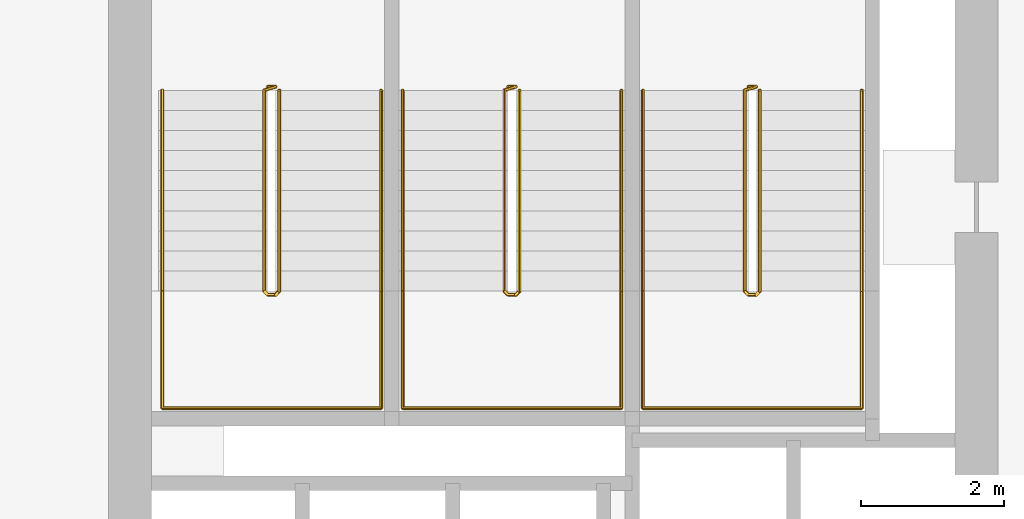
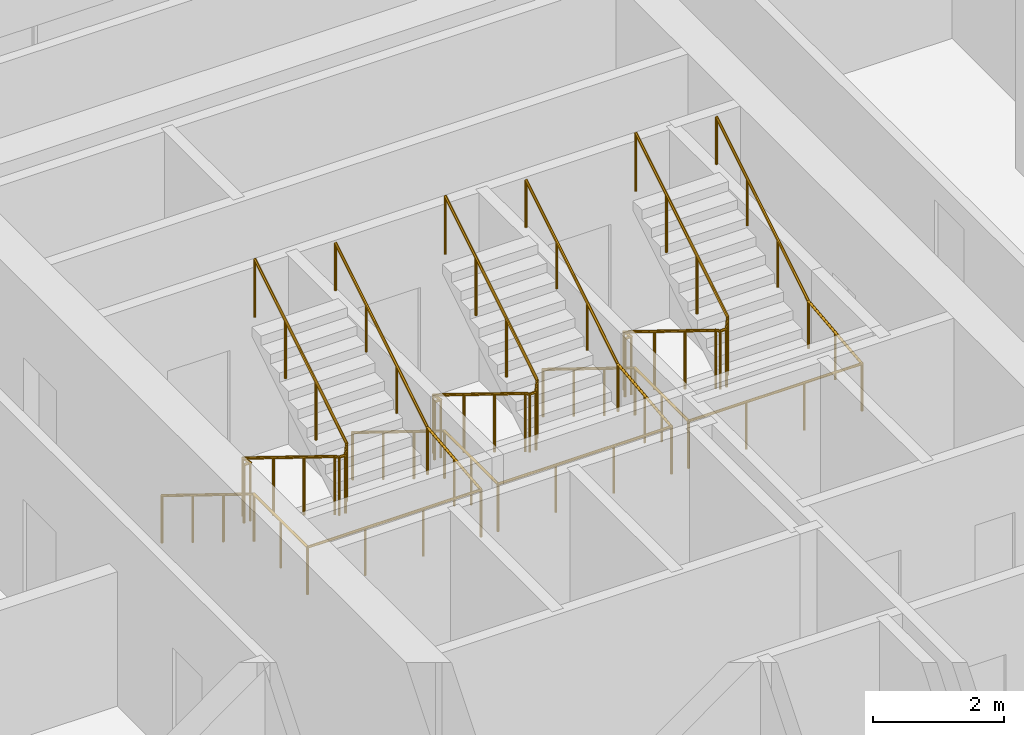
# One storey, part 18 of 18: 6 railings.
"""IFC4 building model written with IfcOpenShell, lengths in metres."""

from ifc_helpers import new_model, si_unit, direction, frame, origin, origin_2d, place, context, subcontext, project, spatial, circle, extrude, material, type_object, element, save


model = new_model("IFC4")

# Units and contexts
model_context = context("Model", 3, precision=1e-05, world=origin(), true_north=direction((0.0, 1.0)))
body_context = subcontext(model_context, "Body", "Model", "MODEL_VIEW")
ifc_project = project(units=[si_unit("LENGTHUNIT", "METRE"), si_unit("AREAUNIT", "SQUARE_METRE"), si_unit("VOLUMEUNIT", "CUBIC_METRE"), si_unit("PLANEANGLEUNIT", "RADIAN"), si_unit("MASSUNIT", "GRAM", prefix="KILO")], contexts=[model_context])

# Site, building, storey
site_placement = place(None, origin())
site = spatial("IfcSite", under=ifc_project, at=site_placement, CompositionType="ELEMENT")
building_placement = place(site_placement, origin())
building = spatial("IfcBuilding", under=site, at=building_placement, Name="Tessera Arch", CompositionType="ELEMENT")
storey_placement = place(building_placement, frame((0.0, 0.0, 104.39990234375)))
storey = spatial("IfcBuildingStorey", under=building, at=storey_placement, Name="L24", CompositionType="ELEMENT", Elevation=104.39990234375)

# Railings
ifc_material_1 = material(Name="Painted steel balustrade", Category="steel")
railing_type_1 = type_object("IfcRailingType", Name="Stair guard 1100", PredefinedType="GUARDRAIL", material=ifc_material_1)
railing_1_placement = place(storey_placement, frame((38.219970703125, 43.6298828125, 0.0)))
element("IfcRailing", 1, at=railing_1_placement, inside=storey, type_object=railing_type_1, Name="L24 S1a stair guard 1", PredefinedType="GUARDRAIL", context=body_context, shape_type="SweptSolid", body=[
    extrude(circle(Radius=0.02392578125, at=origin_2d()), frame((-0.00390625, 0.0, 1.076171875), z_axis=(1.0, 0.0, 0.0), x_axis=(0.0, 1.0, 0.0)), (0.0, 0.0, 1.0), 0.1181640625),
    extrude(circle(Radius=0.02392578125, at=origin_2d()), frame((0.11279296875, 0.000732421875, 1.0732421875), z_axis=(-0.664965661675, -0.206788102106, 0.717676354369), x_axis=(0.296948579431, -0.954893471113, 0.0)), (0.0, 0.0, 1.0), 0.248779296875),
    extrude(circle(Radius=0.02392578125, at=origin_2d()), frame((-0.050048828125, -0.04638671875, 1.246826171875), z_axis=(0.0, -0.851089632645, 0.525020415988), x_axis=(1.0, 0.0, 0.0)), (0.0, 0.0, 1.0), 3.2978515625),
    extrude(circle(Radius=0.02392578125, at=origin_2d()), frame((-0.052978515625, -2.846923828125, 2.97607421875), z_axis=(0.707106781187, -0.707106781187, 0.0), x_axis=(0.707106781187, 0.707106781187, 0.0)), (0.0, 0.0, 1.0), 0.078857421875),
    extrude(circle(Radius=0.02392578125, at=origin_2d()), frame((-0.00390625, -2.89990234375, 2.97607421875), z_axis=(1.0, 0.0, 0.0), x_axis=(0.0, 1.0, 0.0)), (0.0, 0.0, 1.0), 0.1181640625),
    extrude(circle(Radius=0.02392578125, at=origin_2d()), frame((0.109130859375, -2.90087890625, 2.972412109375), z_axis=(0.267062837333, 0.268371968888, 0.925556009775), x_axis=(-0.708833529934, 0.705375805398, 0.0)), (0.0, 0.0, 1.0), 0.194580078125),
    extrude(circle(Radius=0.02392578125, at=origin_2d()), frame((0.159912109375, -2.853271484375, 3.146728515625), z_axis=(0.0, 0.851089632645, 0.525020415988), x_axis=(-1.0, 0.0, 0.0)), (0.0, 0.0, 1.0), 3.2978515625),
    extrude(circle(Radius=0.02099609375, at=origin_2d()), origin(), (0.0, 0.0, 1.0), 1.06396484375),
    extrude(circle(Radius=0.02099609375, at=origin_2d()), frame((0.110107421875, 0.0, 0.0)), (0.0, 0.0, 1.0), 1.06396484375),
    extrude(circle(Radius=0.02099609375, at=origin_2d()), frame((-0.050048828125, -0.0498046875, 0.1728515625)), (0.0, 0.0, 1.0), 1.06396484375),
    extrude(circle(Radius=0.02099609375, at=origin_2d()), frame((-0.050048828125, -0.983154296875, 0.74853515625)), (0.0, 0.0, 1.0), 1.06396484375),
    extrude(circle(Radius=0.02099609375, at=origin_2d()), frame((-0.050048828125, -1.91650390625, 1.324462890625)), (0.0, 0.0, 1.0), 1.06396484375),
    extrude(circle(Radius=0.02099609375, at=origin_2d()), frame((-0.050048828125, -2.849853515625, 1.900146484375)), (0.0, 0.0, 1.0), 1.06396484375),
    extrude(circle(Radius=0.02099609375, at=origin_2d()), frame((0.0, -2.89990234375, 1.900146484375)), (0.0, 0.0, 1.0), 1.06396484375),
    extrude(circle(Radius=0.02099609375, at=origin_2d()), frame((0.110107421875, -2.89990234375, 1.900146484375)), (0.0, 0.0, 1.0), 1.06396484375),
    extrude(circle(Radius=0.02099609375, at=origin_2d()), frame((0.159912109375, -2.849853515625, 2.07275390625)), (0.0, 0.0, 1.0), 1.06396484375),
    extrude(circle(Radius=0.02099609375, at=origin_2d()), frame((0.159912109375, -1.91650390625, 2.6484375)), (0.0, 0.0, 1.0), 1.06396484375),
    extrude(circle(Radius=0.02099609375, at=origin_2d()), frame((0.159912109375, -0.983154296875, 3.224365234375)), (0.0, 0.0, 1.0), 1.06396484375),
    extrude(circle(Radius=0.02099609375, at=origin_2d()), frame((0.159912109375, -0.0498046875, 3.800048828125)), (0.0, 0.0, 1.0), 1.06396484375),
])
railing_2_placement = place(storey_placement, frame((41.570068359375, 43.6298828125, 0.0)))
element("IfcRailing", 2, at=railing_2_placement, inside=storey, type_object=railing_type_1, Name="L24 S1b stair guard 1", PredefinedType="GUARDRAIL", context=body_context, shape_type="SweptSolid", body=[
    extrude(circle(Radius=0.02392578125, at=origin_2d()), frame((-0.00390625, 0.0, 1.076171875), z_axis=(1.0, 0.0, 0.0), x_axis=(0.0, 1.0, 0.0)), (0.0, 0.0, 1.0), 0.117919921875),
    extrude(circle(Radius=0.02392578125, at=origin_2d()), frame((0.112548828125, 0.000732421875, 1.0732421875), z_axis=(-0.664399645116, -0.206927523059, 0.718160227087), x_axis=(0.297361876254, -0.954764847777, 0.0)), (0.0, 0.0, 1.0), 0.248779296875),
    extrude(circle(Radius=0.02392578125, at=origin_2d()), frame((-0.050048828125, -0.04638671875, 1.246826171875), z_axis=(0.0, -0.851089632645, 0.525020415988), x_axis=(1.0, 0.0, 0.0)), (0.0, 0.0, 1.0), 3.2978515625),
    extrude(circle(Radius=0.02392578125, at=origin_2d()), frame((-0.052978515625, -2.846923828125, 2.97607421875), z_axis=(0.707106781187, -0.707106781187, 0.0), x_axis=(0.707106781187, 0.707106781187, 0.0)), (0.0, 0.0, 1.0), 0.078857421875),
    extrude(circle(Radius=0.02392578125, at=origin_2d()), frame((-0.00390625, -2.89990234375, 2.97607421875), z_axis=(1.0, 0.0, 0.0), x_axis=(0.0, 1.0, 0.0)), (0.0, 0.0, 1.0), 0.117919921875),
    extrude(circle(Radius=0.02392578125, at=origin_2d()), frame((0.10888671875, -2.90087890625, 2.972412109375), z_axis=(0.268277960024, 0.268277960024, 0.925231793839), x_axis=(-0.707106781187, 0.707106781187, 0.0)), (0.0, 0.0, 1.0), 0.194580078125),
    extrude(circle(Radius=0.02392578125, at=origin_2d()), frame((0.159912109375, -2.853271484375, 3.146728515625), z_axis=(0.0, 0.851089632645, 0.525020415988), x_axis=(-1.0, 0.0, 0.0)), (0.0, 0.0, 1.0), 3.2978515625),
    extrude(circle(Radius=0.02099609375, at=origin_2d()), origin(), (0.0, 0.0, 1.0), 1.06396484375),
    extrude(circle(Radius=0.02099609375, at=origin_2d()), frame((0.10986328125, 0.0, 0.0)), (0.0, 0.0, 1.0), 1.06396484375),
    extrude(circle(Radius=0.02099609375, at=origin_2d()), frame((-0.050048828125, -0.0498046875, 0.1728515625)), (0.0, 0.0, 1.0), 1.06396484375),
    extrude(circle(Radius=0.02099609375, at=origin_2d()), frame((-0.050048828125, -0.983154296875, 0.74853515625)), (0.0, 0.0, 1.0), 1.06396484375),
    extrude(circle(Radius=0.02099609375, at=origin_2d()), frame((-0.050048828125, -1.91650390625, 1.324462890625)), (0.0, 0.0, 1.0), 1.06396484375),
    extrude(circle(Radius=0.02099609375, at=origin_2d()), frame((-0.050048828125, -2.849853515625, 1.900146484375)), (0.0, 0.0, 1.0), 1.06396484375),
    extrude(circle(Radius=0.02099609375, at=origin_2d()), frame((0.0, -2.89990234375, 1.900146484375)), (0.0, 0.0, 1.0), 1.06396484375),
    extrude(circle(Radius=0.02099609375, at=origin_2d()), frame((0.10986328125, -2.89990234375, 1.900146484375)), (0.0, 0.0, 1.0), 1.06396484375),
    extrude(circle(Radius=0.02099609375, at=origin_2d()), frame((0.159912109375, -2.849853515625, 2.07275390625)), (0.0, 0.0, 1.0), 1.06396484375),
    extrude(circle(Radius=0.02099609375, at=origin_2d()), frame((0.159912109375, -1.91650390625, 2.6484375)), (0.0, 0.0, 1.0), 1.06396484375),
    extrude(circle(Radius=0.02099609375, at=origin_2d()), frame((0.159912109375, -0.983154296875, 3.224365234375)), (0.0, 0.0, 1.0), 1.06396484375),
    extrude(circle(Radius=0.02099609375, at=origin_2d()), frame((0.159912109375, -0.0498046875, 3.800048828125)), (0.0, 0.0, 1.0), 1.06396484375),
])
railing_3_placement = place(storey_placement, frame((44.919921875, 43.6298828125, 0.0)))
element("IfcRailing", 3, at=railing_3_placement, inside=storey, type_object=railing_type_1, Name="L24 S1c stair guard 1", PredefinedType="GUARDRAIL", context=body_context, shape_type="SweptSolid", body=[
    extrude(circle(Radius=0.02392578125, at=origin_2d()), frame((-0.00390625, 0.0, 1.076171875), z_axis=(1.0, 0.0, 0.0), x_axis=(0.0, 1.0, 0.0)), (0.0, 0.0, 1.0), 0.1181640625),
    extrude(circle(Radius=0.02392578125, at=origin_2d()), frame((0.11279296875, 0.000732421875, 1.0732421875), z_axis=(-0.664399645116, -0.206927523059, 0.718160227087), x_axis=(0.297361876254, -0.954764847777, 0.0)), (0.0, 0.0, 1.0), 0.248779296875),
    extrude(circle(Radius=0.02392578125, at=origin_2d()), frame((-0.0498046875, -0.04638671875, 1.246826171875), z_axis=(0.0, -0.851089632645, 0.525020415988), x_axis=(1.0, 0.0, 0.0)), (0.0, 0.0, 1.0), 3.2978515625),
    extrude(circle(Radius=0.02392578125, at=origin_2d()), frame((-0.052734375, -2.846923828125, 2.97607421875), z_axis=(0.705375805398, -0.708833529934, 0.0), x_axis=(0.708833529934, 0.705375805398, 0.0)), (0.0, 0.0, 1.0), 0.07861328125),
    extrude(circle(Radius=0.02392578125, at=origin_2d()), frame((-0.00390625, -2.89990234375, 2.97607421875), z_axis=(1.0, 0.0, 0.0), x_axis=(0.0, 1.0, 0.0)), (0.0, 0.0, 1.0), 0.1181640625),
    extrude(circle(Radius=0.02392578125, at=origin_2d()), frame((0.109130859375, -2.90087890625, 2.972412109375), z_axis=(0.268277960024, 0.268277960024, 0.925231793839), x_axis=(-0.707106781187, 0.707106781187, 0.0)), (0.0, 0.0, 1.0), 0.194580078125),
    extrude(circle(Radius=0.02392578125, at=origin_2d()), frame((0.16015625, -2.853271484375, 3.146728515625), z_axis=(0.0, 0.851089632645, 0.525020415988), x_axis=(-1.0, 0.0, 0.0)), (0.0, 0.0, 1.0), 3.2978515625),
    extrude(circle(Radius=0.02099609375, at=origin_2d()), origin(), (0.0, 0.0, 1.0), 1.06396484375),
    extrude(circle(Radius=0.02099609375, at=origin_2d()), frame((0.110107421875, 0.0, 0.0)), (0.0, 0.0, 1.0), 1.06396484375),
    extrude(circle(Radius=0.02099609375, at=origin_2d()), frame((-0.0498046875, -0.0498046875, 0.1728515625)), (0.0, 0.0, 1.0), 1.06396484375),
    extrude(circle(Radius=0.02099609375, at=origin_2d()), frame((-0.0498046875, -0.983154296875, 0.74853515625)), (0.0, 0.0, 1.0), 1.06396484375),
    extrude(circle(Radius=0.02099609375, at=origin_2d()), frame((-0.0498046875, -1.91650390625, 1.324462890625)), (0.0, 0.0, 1.0), 1.06396484375),
    extrude(circle(Radius=0.02099609375, at=origin_2d()), frame((-0.0498046875, -2.849853515625, 1.900146484375)), (0.0, 0.0, 1.0), 1.06396484375),
    extrude(circle(Radius=0.02099609375, at=origin_2d()), frame((0.0, -2.89990234375, 1.900146484375)), (0.0, 0.0, 1.0), 1.06396484375),
    extrude(circle(Radius=0.02099609375, at=origin_2d()), frame((0.110107421875, -2.89990234375, 1.900146484375)), (0.0, 0.0, 1.0), 1.06396484375),
    extrude(circle(Radius=0.02099609375, at=origin_2d()), frame((0.16015625, -2.849853515625, 2.07275390625)), (0.0, 0.0, 1.0), 1.06396484375),
    extrude(circle(Radius=0.02099609375, at=origin_2d()), frame((0.16015625, -1.91650390625, 2.6484375)), (0.0, 0.0, 1.0), 1.06396484375),
    extrude(circle(Radius=0.02099609375, at=origin_2d()), frame((0.16015625, -0.983154296875, 3.224365234375)), (0.0, 0.0, 1.0), 1.06396484375),
    extrude(circle(Radius=0.02099609375, at=origin_2d()), frame((0.16015625, -0.0498046875, 3.800048828125)), (0.0, 0.0, 1.0), 1.06396484375),
])
ifc_material_2 = material(Name="Painted steel handrail", Category="steel")
railing_type_2 = type_object("IfcRailingType", Name="Stair handrail 900", PredefinedType="HANDRAIL", material=ifc_material_2)
railing_4_placement = place(storey_placement, frame((36.75, 43.580078125, 0.1728515625)))
element("IfcRailing", 4, at=railing_4_placement, inside=storey, type_object=railing_type_2, Name="L24 S1a stair handrail", PredefinedType="HANDRAIL", context=body_context, shape_type="SweptSolid", body=[
    extrude(circle(Radius=0.02392578125, at=origin_2d()), frame((0.0, 0.00341796875, 0.873779296875), z_axis=(0.0, -0.851089632645, 0.525020415988), x_axis=(1.0, 0.0, 0.0)), (0.0, 0.0, 1.0), 3.2978515625),
    extrude(circle(Radius=0.02392578125, at=origin_2d()), frame((0.0, -2.796142578125, 2.60302734375), z_axis=(0.0, -1.0, 0.0), x_axis=(1.0, 0.0, 0.0)), (0.0, 0.0, 1.0), 1.63818359375),
    extrude(circle(Radius=0.02392578125, at=origin_2d()), frame((-0.00390625, -4.43017578125, 2.60302734375), z_axis=(1.0, 0.0, 0.0), x_axis=(0.0, 1.0, 0.0)), (0.0, 0.0, 1.0), 3.05810546875),
    extrude(circle(Radius=0.02392578125, at=origin_2d()), frame((3.050048828125, -4.43408203125, 2.602783203125), z_axis=(0.0, 0.994440793715, 0.105297235459), x_axis=(-1.0, 0.0, 0.0)), (0.0, 0.0, 1.0), 1.647216796875),
    extrude(circle(Radius=0.02392578125, at=origin_2d()), frame((3.050048828125, -2.803466796875, 2.773681640625), z_axis=(0.0, 0.851089632645, 0.525020415988), x_axis=(-1.0, 0.0, 0.0)), (0.0, 0.0, 1.0), 3.2978515625),
    extrude(circle(Radius=0.02099609375, at=origin_2d()), origin(), (0.0, 0.0, 1.0), 0.86376953125),
    extrude(circle(Radius=0.02099609375, at=origin_2d()), frame((0.0, -0.933349609375, 0.57568359375)), (0.0, 0.0, 1.0), 0.86376953125),
    extrude(circle(Radius=0.02099609375, at=origin_2d()), frame((0.0, -1.86669921875, 1.151611328125)), (0.0, 0.0, 1.0), 0.86376953125),
    extrude(circle(Radius=0.02099609375, at=origin_2d()), frame((0.0, -2.800048828125, 1.727294921875)), (0.0, 0.0, 1.0), 0.86376953125),
    extrude(circle(Radius=0.02099609375, at=origin_2d()), frame((0.0, -3.615234375, 1.727294921875)), (0.0, 0.0, 1.0), 0.86376953125),
    extrude(circle(Radius=0.02099609375, at=origin_2d()), frame((0.0, -4.43017578125, 1.727294921875)), (0.0, 0.0, 1.0), 0.86376953125),
    extrude(circle(Radius=0.02099609375, at=origin_2d()), frame((1.0166015625, -4.43017578125, 1.727294921875)), (0.0, 0.0, 1.0), 0.86376953125),
    extrude(circle(Radius=0.02099609375, at=origin_2d()), frame((2.033447265625, -4.43017578125, 1.727294921875)), (0.0, 0.0, 1.0), 0.86376953125),
    extrude(circle(Radius=0.02099609375, at=origin_2d()), frame((3.050048828125, -4.43017578125, 1.727294921875)), (0.0, 0.0, 1.0), 0.86376953125),
    extrude(circle(Radius=0.02099609375, at=origin_2d()), frame((3.050048828125, -3.615234375, 1.8134765625)), (0.0, 0.0, 1.0), 0.86376953125),
    extrude(circle(Radius=0.02099609375, at=origin_2d()), frame((3.050048828125, -2.800048828125, 1.89990234375)), (0.0, 0.0, 1.0), 0.86376953125),
    extrude(circle(Radius=0.02099609375, at=origin_2d()), frame((3.050048828125, -1.86669921875, 2.4755859375)), (0.0, 0.0, 1.0), 0.86376953125),
    extrude(circle(Radius=0.02099609375, at=origin_2d()), frame((3.050048828125, -0.933349609375, 3.051513671875)), (0.0, 0.0, 1.0), 0.86376953125),
    extrude(circle(Radius=0.02099609375, at=origin_2d()), frame((3.050048828125, 0.0, 3.627197265625)), (0.0, 0.0, 1.0), 0.86376953125),
])
railing_5_placement = place(storey_placement, frame((40.10009765625, 43.580078125, 0.1728515625)))
element("IfcRailing", 5, at=railing_5_placement, inside=storey, type_object=railing_type_2, Name="L24 S1b stair handrail", PredefinedType="HANDRAIL", context=body_context, shape_type="SweptSolid", body=[
    extrude(circle(Radius=0.02392578125, at=origin_2d()), frame((0.0, 0.00341796875, 0.873779296875), z_axis=(0.0, -0.851089632645, 0.525020415988), x_axis=(1.0, 0.0, 0.0)), (0.0, 0.0, 1.0), 3.2978515625),
    extrude(circle(Radius=0.02392578125, at=origin_2d()), frame((0.0, -2.796142578125, 2.60302734375), z_axis=(0.0, -1.0, 0.0), x_axis=(1.0, 0.0, 0.0)), (0.0, 0.0, 1.0), 1.63818359375),
    extrude(circle(Radius=0.02392578125, at=origin_2d()), frame((-0.00390625, -4.43017578125, 2.60302734375), z_axis=(1.0, 0.0, 0.0), x_axis=(0.0, 1.0, 0.0)), (0.0, 0.0, 1.0), 3.057861328125),
    extrude(circle(Radius=0.02392578125, at=origin_2d()), frame((3.0498046875, -4.43408203125, 2.602783203125), z_axis=(0.0, 0.994440793715, 0.105297235459), x_axis=(-1.0, 0.0, 0.0)), (0.0, 0.0, 1.0), 1.647216796875),
    extrude(circle(Radius=0.02392578125, at=origin_2d()), frame((3.0498046875, -2.803466796875, 2.773681640625), z_axis=(0.0, 0.851089632645, 0.525020415988), x_axis=(-1.0, 0.0, 0.0)), (0.0, 0.0, 1.0), 3.2978515625),
    extrude(circle(Radius=0.02099609375, at=origin_2d()), origin(), (0.0, 0.0, 1.0), 0.86376953125),
    extrude(circle(Radius=0.02099609375, at=origin_2d()), frame((0.0, -0.933349609375, 0.57568359375)), (0.0, 0.0, 1.0), 0.86376953125),
    extrude(circle(Radius=0.02099609375, at=origin_2d()), frame((0.0, -1.86669921875, 1.151611328125)), (0.0, 0.0, 1.0), 0.86376953125),
    extrude(circle(Radius=0.02099609375, at=origin_2d()), frame((0.0, -2.800048828125, 1.727294921875)), (0.0, 0.0, 1.0), 0.86376953125),
    extrude(circle(Radius=0.02099609375, at=origin_2d()), frame((0.0, -3.615234375, 1.727294921875)), (0.0, 0.0, 1.0), 0.86376953125),
    extrude(circle(Radius=0.02099609375, at=origin_2d()), frame((0.0, -4.43017578125, 1.727294921875)), (0.0, 0.0, 1.0), 0.86376953125),
    extrude(circle(Radius=0.02099609375, at=origin_2d()), frame((1.0166015625, -4.43017578125, 1.727294921875)), (0.0, 0.0, 1.0), 0.86376953125),
    extrude(circle(Radius=0.02099609375, at=origin_2d()), frame((2.033203125, -4.43017578125, 1.727294921875)), (0.0, 0.0, 1.0), 0.86376953125),
    extrude(circle(Radius=0.02099609375, at=origin_2d()), frame((3.0498046875, -4.43017578125, 1.727294921875)), (0.0, 0.0, 1.0), 0.86376953125),
    extrude(circle(Radius=0.02099609375, at=origin_2d()), frame((3.0498046875, -3.615234375, 1.8134765625)), (0.0, 0.0, 1.0), 0.86376953125),
    extrude(circle(Radius=0.02099609375, at=origin_2d()), frame((3.0498046875, -2.800048828125, 1.89990234375)), (0.0, 0.0, 1.0), 0.86376953125),
    extrude(circle(Radius=0.02099609375, at=origin_2d()), frame((3.0498046875, -1.86669921875, 2.4755859375)), (0.0, 0.0, 1.0), 0.86376953125),
    extrude(circle(Radius=0.02099609375, at=origin_2d()), frame((3.0498046875, -0.933349609375, 3.051513671875)), (0.0, 0.0, 1.0), 0.86376953125),
    extrude(circle(Radius=0.02099609375, at=origin_2d()), frame((3.0498046875, 0.0, 3.627197265625)), (0.0, 0.0, 1.0), 0.86376953125),
])
railing_6_placement = place(storey_placement, frame((43.449951171875, 43.580078125, 0.1728515625)))
element("IfcRailing", 6, at=railing_6_placement, inside=storey, type_object=railing_type_2, Name="L24 S1c stair handrail", PredefinedType="HANDRAIL", context=body_context, shape_type="SweptSolid", body=[
    extrude(circle(Radius=0.02392578125, at=origin_2d()), frame((0.0, 0.00341796875, 0.873779296875), z_axis=(0.0, -0.851089632645, 0.525020415988), x_axis=(1.0, 0.0, 0.0)), (0.0, 0.0, 1.0), 3.2978515625),
    extrude(circle(Radius=0.02392578125, at=origin_2d()), frame((0.0, -2.796142578125, 2.60302734375), z_axis=(0.0, -1.0, 0.0), x_axis=(1.0, 0.0, 0.0)), (0.0, 0.0, 1.0), 1.63818359375),
    extrude(circle(Radius=0.02392578125, at=origin_2d()), frame((-0.00390625, -4.43017578125, 2.60302734375), z_axis=(1.0, 0.0, 0.0), x_axis=(0.0, 1.0, 0.0)), (0.0, 0.0, 1.0), 3.05810546875),
    extrude(circle(Radius=0.02392578125, at=origin_2d()), frame((3.050048828125, -4.43408203125, 2.602783203125), z_axis=(0.0, 0.994440793715, 0.105297235459), x_axis=(-1.0, 0.0, 0.0)), (0.0, 0.0, 1.0), 1.647216796875),
    extrude(circle(Radius=0.02392578125, at=origin_2d()), frame((3.050048828125, -2.803466796875, 2.773681640625), z_axis=(0.0, 0.851089632645, 0.525020415988), x_axis=(-1.0, 0.0, 0.0)), (0.0, 0.0, 1.0), 3.2978515625),
    extrude(circle(Radius=0.02099609375, at=origin_2d()), origin(), (0.0, 0.0, 1.0), 0.86376953125),
    extrude(circle(Radius=0.02099609375, at=origin_2d()), frame((0.0, -0.933349609375, 0.57568359375)), (0.0, 0.0, 1.0), 0.86376953125),
    extrude(circle(Radius=0.02099609375, at=origin_2d()), frame((0.0, -1.86669921875, 1.151611328125)), (0.0, 0.0, 1.0), 0.86376953125),
    extrude(circle(Radius=0.02099609375, at=origin_2d()), frame((0.0, -2.800048828125, 1.727294921875)), (0.0, 0.0, 1.0), 0.86376953125),
    extrude(circle(Radius=0.02099609375, at=origin_2d()), frame((0.0, -3.615234375, 1.727294921875)), (0.0, 0.0, 1.0), 0.86376953125),
    extrude(circle(Radius=0.02099609375, at=origin_2d()), frame((0.0, -4.43017578125, 1.727294921875)), (0.0, 0.0, 1.0), 0.86376953125),
    extrude(circle(Radius=0.02099609375, at=origin_2d()), frame((1.0166015625, -4.43017578125, 1.727294921875)), (0.0, 0.0, 1.0), 0.86376953125),
    extrude(circle(Radius=0.02099609375, at=origin_2d()), frame((2.033447265625, -4.43017578125, 1.727294921875)), (0.0, 0.0, 1.0), 0.86376953125),
    extrude(circle(Radius=0.02099609375, at=origin_2d()), frame((3.050048828125, -4.43017578125, 1.727294921875)), (0.0, 0.0, 1.0), 0.86376953125),
    extrude(circle(Radius=0.02099609375, at=origin_2d()), frame((3.050048828125, -3.615234375, 1.8134765625)), (0.0, 0.0, 1.0), 0.86376953125),
    extrude(circle(Radius=0.02099609375, at=origin_2d()), frame((3.050048828125, -2.800048828125, 1.89990234375)), (0.0, 0.0, 1.0), 0.86376953125),
    extrude(circle(Radius=0.02099609375, at=origin_2d()), frame((3.050048828125, -1.86669921875, 2.4755859375)), (0.0, 0.0, 1.0), 0.86376953125),
    extrude(circle(Radius=0.02099609375, at=origin_2d()), frame((3.050048828125, -0.933349609375, 3.051513671875)), (0.0, 0.0, 1.0), 0.86376953125),
    extrude(circle(Radius=0.02099609375, at=origin_2d()), frame((3.050048828125, 0.0, 3.627197265625)), (0.0, 0.0, 1.0), 0.86376953125),
])

save(model, "model.ifc")
